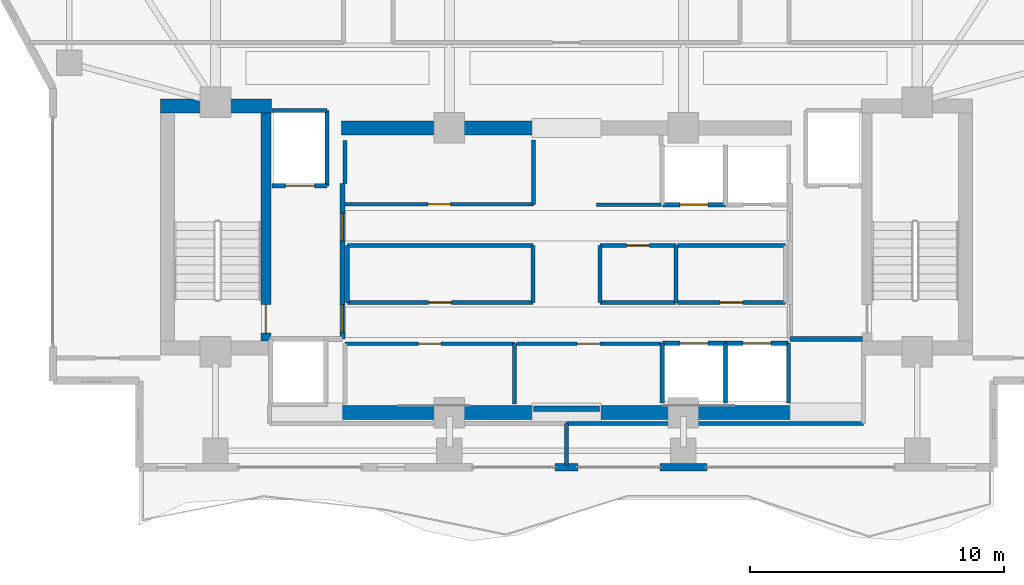
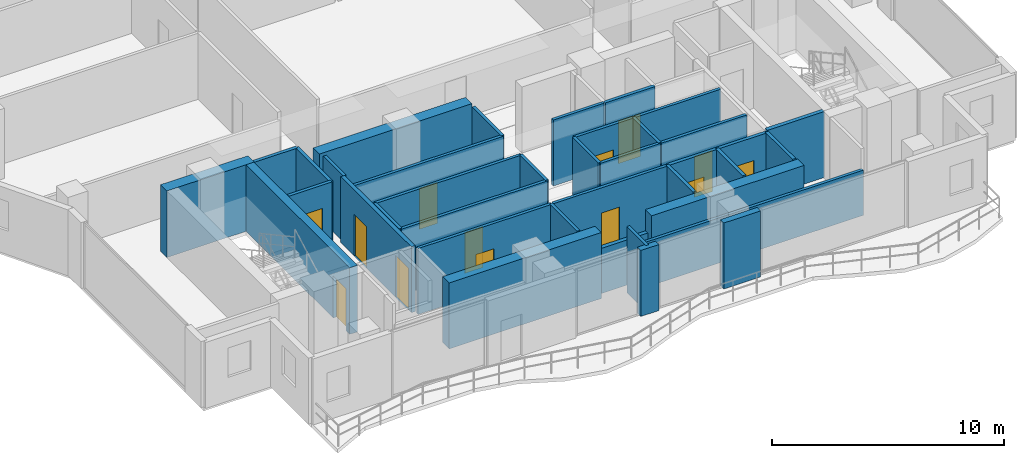
# One storey, part 17 of 24: 38 walls, 13 doors, 13 openings.
"""IFC4 building model written with IfcOpenShell, lengths in metres."""

from ifc_helpers import new_model, si_unit, direction, frame, frame_2d, origin, place, context, subcontext, project, spatial, rectangle, extrude, material, layer, layer_set, type_object, element, fill, save


model = new_model("IFC4")

# Units and contexts
model_context = context("Model", 3, precision=1e-05, world=origin(), true_north=direction((0.0, 1.0)))
body_context = subcontext(model_context, "Body", "Model", "MODEL_VIEW")
ifc_project = project(units=[si_unit("LENGTHUNIT", "METRE"), si_unit("AREAUNIT", "SQUARE_METRE"), si_unit("VOLUMEUNIT", "CUBIC_METRE"), si_unit("PLANEANGLEUNIT", "RADIAN"), si_unit("MASSUNIT", "GRAM", prefix="KILO")], contexts=[model_context])

# Site, building, storey
site_placement = place(None, origin())
site = spatial("IfcSite", under=ifc_project, at=site_placement, CompositionType="ELEMENT")
building_placement = place(site_placement, origin())
building = spatial("IfcBuilding", under=site, at=building_placement, Name="Zuhayl Quay Hotel", CompositionType="ELEMENT")
storey_placement = place(building_placement, frame((0.0, 0.0, 276.64990234375)))
storey = spatial("IfcBuildingStorey", under=building, at=storey_placement, Name="L70", CompositionType="ELEMENT", Elevation=276.64990234375)

# Walls
ifc_material_1 = material(Name="Concrete C50/60", Category="concrete")
ifc_layer_1 = layer(ifc_material_1, 0.550048828125, Name="Concrete C50/60", Category="concrete")
ifc_layer_set_1 = layer_set([ifc_layer_1], Name="Concrete C50/60")
wall_type_1 = type_object("IfcWallType", Name="WL_CORE_550", PredefinedType="SHEAR", material=ifc_layer_set_1)
wall_1_placement = place(storey_placement, frame((-15.9599609375, 14.205078125, 0.0), z_axis=(0.0, 0.0, 1.0), x_axis=(1.0, 0.0, 0.0)))
element("IfcWall", 1, at=wall_1_placement, inside=storey, type_object=wall_type_1, Name="L70 Core Shear Wall CW_NW", PredefinedType="SHEAR", context=body_context, shape_type="SweptSolid", body=[
    extrude(rectangle(XDim=4.35986328125, YDim=0.550048828125, at=frame_2d((2.179931640625, 0.0))), origin(), (0.0, 0.0, 1.0), 3.510009765625),
])
for number, where, z_axis, x_axis, name in (
    (2, (-8.85009765625, 2.14990234375, 0.0), (0.0, 0.0, 1.0), (1.0, 0.0, 0.0), "L70 Core Shear Wall CW_SC_W"),
    (3, (1.25, 2.14990234375, 0.0), (0.0, 0.0, 1.0), (1.0, 0.0, 0.0), "L70 Core Shear Wall CW_SC_E"),
    (4, (-8.85009765625, 13.35009765625, 0.0), (0.0, 0.0, 1.0), (1.0, 0.0, 0.0), "L70 Core Shear Wall CW_NC_W"),
):
    element("IfcWall", number, at=place(storey_placement, frame(where, z_axis=z_axis, x_axis=x_axis)), inside=storey, type_object=wall_type_1, Name=name, PredefinedType="SHEAR", context=body_context, shape_type="SweptSolid", body=[
        extrude(rectangle(XDim=7.60009765625, YDim=0.550048828125, at=frame_2d((3.800048828125, 0.0))), origin(), (0.0, 0.0, 1.0), 3.47998046875),
    ])
ifc_material_2 = material(Name="Precast concrete C45/55", Category="concrete")
ifc_layer_2 = layer(ifc_material_2, 0.300048828125, Name="Precast concrete C45/55", Category="concrete")
ifc_layer_set_2 = layer_set([ifc_layer_2], Name="Precast concrete C45/55")
wall_type_2 = type_object("IfcWallType", Name="WL_EXT_300", PredefinedType="STANDARD", material=ifc_layer_set_2)
wall_2_placement = place(storey_placement, frame((5.52001953125, 0.0, 0.0), z_axis=(0.0, 0.0, 1.0), x_axis=(-1.0, 0.0, 0.0)))
element("IfcWall", 5, at=wall_2_placement, inside=storey, type_object=wall_type_2, Name="L70 Exterior Precast Wall ENV_L70_S_EW2", PredefinedType="STANDARD", context=body_context, shape_type="SweptSolid", body=[
    extrude(rectangle(XDim=1.840087890625, YDim=0.300048828125, at=frame_2d((0.919921875, 0.0))), origin(), (0.0, 0.0, 1.0), 3.47998046875),
])
wall_3_placement = place(storey_placement, frame((0.449951171875, 0.0, 0.0), z_axis=(0.0, 0.0, 1.0), x_axis=(-1.0, 0.0, 0.0)))
element("IfcWall", 6, at=wall_3_placement, inside=storey, type_object=wall_type_2, Name="L70 Exterior Precast Wall ENV_L70_S_EW3", PredefinedType="STANDARD", context=body_context, shape_type="SweptSolid", body=[
    extrude(rectangle(XDim=0.89990234375, YDim=0.300048828125, at=frame_2d((0.449951171875, 0.0))), origin(), (0.0, 0.0, 1.0), 3.47998046875),
])

# Wall, opening, door
ifc_material_3 = material(Name="Acoustic Gypsum Partition STC-58")
ifc_layer_3 = layer(ifc_material_3, 0.14990234375, Name="Acoustic Gypsum Partition STC-58")
ifc_layer_set_3 = layer_set([ifc_layer_3], Name="Acoustic Gypsum Partition STC-58")
wall_type_3 = type_object("IfcWallType", Name="WL_PART_150", PredefinedType="PARTITIONING", material=ifc_layer_set_3)
wall_4_placement = place(storey_placement, frame((-8.7099609375, 4.860107421875, 0.0), z_axis=(0.0, 0.0, 1.0), x_axis=(1.0, 0.0, 0.0)))
wall_4 = element("IfcWall", 7, at=wall_4_placement, inside=storey, type_object=wall_type_3, Name="L70 Partition IW_L70_FMP_SW_N", PredefinedType="PARTITIONING", context=body_context, shape_type="SweptSolid", body=[
    extrude(rectangle(XDim=6.669921875, YDim=0.14990234375, at=frame_2d((3.3349609375, 0.0))), origin(), (0.0, 0.0, 1.0), 3.47998046875),
])
opening_1_placement = place(wall_4_placement, frame((2.885009765625, 0.0, 0.0)))
opening_1 = element("IfcOpeningElement", 8, at=opening_1_placement, cuts=wall_4, Name="Opening D06", PredefinedType="OPENING", context=body_context, shape_type="SweptSolid", body=[
    extrude(rectangle(XDim=0.89990234375, YDim=2.14990234375, at=frame_2d((0.449951171875, 1.074951171875))), frame((0.0, 0.0849609375, 0.0), z_axis=(0.0, -1.0, 0.0), x_axis=(1.0, 0.0, 0.0)), (0.0, 0.0, 1.0), 0.169921875),
])
ifc_material_4 = material(Name="Steel ASTM A992 Grade 50", Category="steel")
door_type_1 = type_object("IfcDoorType", Name="DR_INT_900", OperationType="NOTDEFINED", PredefinedType="DOOR", material=ifc_material_4)
door_1_placement = place(opening_1_placement, origin())
door_1 = element("IfcDoor", 9, at=door_1_placement, inside=storey, type_object=door_type_1, Name="L70 Sky-Suite Sommelier Pantry Door", OperationType="SINGLE_SWING_LEFT", OverallHeight=2.14990234375, OverallWidth=0.89990234375, PredefinedType="DOOR", context=body_context, shape_type="SweptSolid", body=[
    extrude(rectangle(XDim=0.89990234375, YDim=2.14990234375, at=frame_2d((0.449951171875, 1.074951171875))), frame((0.0, 0.02490234375, 0.0), z_axis=(0.0, -1.0, 0.0), x_axis=(1.0, 0.0, 0.0)), (0.0, 0.0, 1.0), 0.050048828125),
])
fill(opening_1, door_1)

wall_5_placement = place(storey_placement, frame((-1.9599609375, 4.860107421875, 0.0), z_axis=(0.0, 0.0, 1.0), x_axis=(1.0, 0.0, 0.0)))
wall_5 = element("IfcWall", 10, at=wall_5_placement, inside=storey, type_object=wall_type_3, Name="L70 Partition IW_L70_FMP_SE_N", PredefinedType="PARTITIONING", context=body_context, shape_type="SweptSolid", body=[
    extrude(rectangle(XDim=5.669921875, YDim=0.14990234375, at=frame_2d((2.8349609375, 0.0))), origin(), (0.0, 0.0, 1.0), 3.47998046875),
])
opening_2_placement = place(wall_5_placement, frame((2.385009765625, 0.0, 0.0)))
opening_2 = element("IfcOpeningElement", 11, at=opening_2_placement, cuts=wall_5, Name="Opening D06", PredefinedType="OPENING", context=body_context, shape_type="SweptSolid", body=[
    extrude(rectangle(XDim=0.89990234375, YDim=2.14990234375, at=frame_2d((0.449951171875, 1.074951171875))), frame((0.0, 0.0849609375, 0.0), z_axis=(0.0, -1.0, 0.0), x_axis=(1.0, 0.0, 0.0)), (0.0, 0.0, 1.0), 0.169921875),
])
door_2_placement = place(opening_2_placement, origin())
door_2 = element("IfcDoor", 12, at=door_2_placement, inside=storey, type_object=door_type_1, Name="L70 Butler Linen Store Door", OperationType="SINGLE_SWING_RIGHT", OverallHeight=2.14990234375, OverallWidth=0.89990234375, PredefinedType="DOOR", context=body_context, shape_type="SweptSolid", body=[
    extrude(rectangle(XDim=0.89990234375, YDim=2.14990234375, at=frame_2d((0.449951171875, 1.074951171875))), frame((0.0, 0.02490234375, 0.0), z_axis=(0.0, -1.0, 0.0), x_axis=(1.0, 0.0, 0.0)), (0.0, 0.0, 1.0), 0.050048828125),
])
fill(opening_2, door_2)

wall_6_placement = place(storey_placement, frame((-8.7099609375, 10.340087890625, 0.0), z_axis=(0.0, 0.0, 1.0), x_axis=(1.0, 0.0, 0.0)))
wall_6 = element("IfcWall", 13, at=wall_6_placement, inside=storey, type_object=wall_type_3, Name="L70 Partition IW_L70_FMP_NW_S", PredefinedType="PARTITIONING", context=body_context, shape_type="SweptSolid", body=[
    extrude(rectangle(XDim=7.419921875, YDim=0.14990234375, at=frame_2d((3.7099609375, 0.0))), origin(), (0.0, 0.0, 1.0), 3.47998046875),
])
opening_3_placement = place(wall_6_placement, frame((3.260009765625, 0.0, 0.0)))
opening_3 = element("IfcOpeningElement", 14, at=opening_3_placement, cuts=wall_6, Name="Opening D06", PredefinedType="OPENING", context=body_context, shape_type="SweptSolid", body=[
    extrude(rectangle(XDim=0.89990234375, YDim=2.14990234375, at=frame_2d((0.449951171875, 1.074951171875))), frame((0.0, 0.0849609375, 0.0), z_axis=(0.0, -1.0, 0.0), x_axis=(1.0, 0.0, 0.0)), (0.0, 0.0, 1.0), 0.169921875),
])
door_3_placement = place(opening_3_placement, origin())
door_3 = element("IfcDoor", 15, at=door_3_placement, inside=storey, type_object=door_type_1, Name="L70 Valet Linen Store Door", OperationType="SINGLE_SWING_LEFT", OverallHeight=2.14990234375, OverallWidth=0.89990234375, PredefinedType="DOOR", context=body_context, shape_type="SweptSolid", body=[
    extrude(rectangle(XDim=0.89990234375, YDim=2.14990234375, at=frame_2d((0.449951171875, 1.074951171875))), frame((0.0, 0.02490234375, 0.0), z_axis=(0.0, -1.0, 0.0), x_axis=(1.0, 0.0, 0.0)), (0.0, 0.0, 1.0), 0.050048828125),
])
fill(opening_3, door_3)

wall_7_placement = place(storey_placement, frame((-8.610107421875, 6.47998046875, 0.0), z_axis=(0.0, 0.0, 1.0), x_axis=(1.0, 0.0, 0.0)))
wall_7 = element("IfcWall", 16, at=wall_7_placement, inside=storey, type_object=wall_type_3, Name="L70 Partition IW_L70_CORE_EL_S", PredefinedType="PARTITIONING", context=body_context, shape_type="SweptSolid", body=[
    extrude(rectangle(XDim=7.2900390625, YDim=0.14990234375, at=frame_2d((3.64501953125, 0.0))), origin(), (0.0, 0.0, 1.0), 3.47998046875),
])
opening_4_placement = place(wall_7_placement, frame((3.195068359375, 0.0, 0.0)))
opening_4 = element("IfcOpeningElement", 17, at=opening_4_placement, cuts=wall_7, Name="Opening D06", PredefinedType="OPENING", context=body_context, shape_type="SweptSolid", body=[
    extrude(rectangle(XDim=0.89990234375, YDim=2.14990234375, at=frame_2d((0.449951171875, 1.074951171875))), frame((0.0, 0.0849609375, 0.0), z_axis=(0.0, -1.0, 0.0), x_axis=(1.0, 0.0, 0.0)), (0.0, 0.0, 1.0), 0.169921875),
])
door_4_placement = place(opening_4_placement, origin())
door_4 = element("IfcDoor", 18, at=door_4_placement, inside=storey, type_object=door_type_1, Name="L70 Floor Electrical Plant Room Door", OperationType="SINGLE_SWING_RIGHT", OverallHeight=2.14990234375, OverallWidth=0.89990234375, PredefinedType="DOOR", context=body_context, shape_type="SweptSolid", body=[
    extrude(rectangle(XDim=0.89990234375, YDim=2.14990234375, at=frame_2d((0.449951171875, 1.074951171875))), frame((0.0, 0.02490234375, 0.0), z_axis=(0.0, -1.0, 0.0), x_axis=(1.0, 0.0, 0.0)), (0.0, 0.0, 1.0), 0.050048828125),
])
fill(opening_4, door_4)

wall_8_placement = place(storey_placement, frame((1.320068359375, 8.719970703125, 0.0), z_axis=(0.0, 0.0, 1.0), x_axis=(1.0, 0.0, 0.0)))
wall_8 = element("IfcWall", 19, at=wall_8_placement, inside=storey, type_object=wall_type_3, Name="L70 Partition IW_L70_CORE_IT_N", PredefinedType="PARTITIONING", context=body_context, shape_type="SweptSolid", body=[
    extrude(rectangle(XDim=2.989990234375, YDim=0.14990234375, at=frame_2d((1.4951171875, 0.0))), origin(), (0.0, 0.0, 1.0), 3.47998046875),
])
opening_5_placement = place(wall_8_placement, frame((1.044921875, 0.0, 0.0)))
opening_5 = element("IfcOpeningElement", 20, at=opening_5_placement, cuts=wall_8, Name="Opening D06", PredefinedType="OPENING", context=body_context, shape_type="SweptSolid", body=[
    extrude(rectangle(XDim=0.89990234375, YDim=2.14990234375, at=frame_2d((0.449951171875, 1.074951171875))), frame((0.0, 0.0849609375, 0.0), z_axis=(0.0, -1.0, 0.0), x_axis=(1.0, 0.0, 0.0)), (0.0, 0.0, 1.0), 0.169921875),
])
door_5_placement = place(opening_5_placement, origin())
door_5 = element("IfcDoor", 21, at=door_5_placement, inside=storey, type_object=door_type_1, Name="L70 Telecom Closet Door", OperationType="SINGLE_SWING_LEFT", OverallHeight=2.14990234375, OverallWidth=0.89990234375, PredefinedType="DOOR", context=body_context, shape_type="SweptSolid", body=[
    extrude(rectangle(XDim=0.89990234375, YDim=2.14990234375, at=frame_2d((0.449951171875, 1.074951171875))), frame((0.0, 0.02490234375, 0.0), z_axis=(0.0, -1.0, 0.0), x_axis=(1.0, 0.0, 0.0)), (0.0, 0.0, 1.0), 0.050048828125),
])
fill(opening_5, door_5)

wall_9_placement = place(storey_placement, frame((4.3701171875, 6.47998046875, 0.0), z_axis=(0.0, 0.0, 1.0), x_axis=(1.0, 0.0, 0.0)))
wall_9 = element("IfcWall", 22, at=wall_9_placement, inside=storey, type_object=wall_type_3, Name="L70 Partition IW_L70_CORE_LN_S", PredefinedType="PARTITIONING", context=body_context, shape_type="SweptSolid", body=[
    extrude(rectangle(XDim=4.239990234375, YDim=0.14990234375, at=frame_2d((2.1201171875, 0.0))), origin(), (0.0, 0.0, 1.0), 3.47998046875),
])
opening_6_placement = place(wall_9_placement, frame((1.669921875, 0.0, 0.0)))
opening_6 = element("IfcOpeningElement", 23, at=opening_6_placement, cuts=wall_9, Name="Opening D06", PredefinedType="OPENING", context=body_context, shape_type="SweptSolid", body=[
    extrude(rectangle(XDim=0.89990234375, YDim=2.14990234375, at=frame_2d((0.449951171875, 1.074951171875))), frame((0.0, 0.0849609375, 0.0), z_axis=(0.0, -1.0, 0.0), x_axis=(1.0, 0.0, 0.0)), (0.0, 0.0, 1.0), 0.169921875),
])
door_6_placement = place(opening_6_placement, origin())
door_6 = element("IfcDoor", 24, at=door_6_placement, inside=storey, type_object=door_type_1, Name="L70 Core Linen Store Door", OperationType="SINGLE_SWING_RIGHT", OverallHeight=2.14990234375, OverallWidth=0.89990234375, PredefinedType="DOOR", context=body_context, shape_type="SweptSolid", body=[
    extrude(rectangle(XDim=0.89990234375, YDim=2.14990234375, at=frame_2d((0.449951171875, 1.074951171875))), frame((0.0, 0.02490234375, 0.0), z_axis=(0.0, -1.0, 0.0), x_axis=(1.0, 0.0, 0.0)), (0.0, 0.0, 1.0), 0.050048828125),
])
fill(opening_6, door_6)

# Walls
wall_10_placement = place(storey_placement, frame((-2.0400390625, 2.489990234375, 0.0), z_axis=(0.0, 0.0, 1.0), x_axis=(0.0, 1.0, 0.0)))
element("IfcWall", 25, at=wall_10_placement, inside=storey, type_object=wall_type_3, Name="L70 Partition IW_L70_FMP_SW_E", PredefinedType="PARTITIONING", context=body_context, shape_type="SweptSolid", body=[
    extrude(rectangle(XDim=2.3701171875, YDim=0.14990234375, at=frame_2d((1.18505859375, 0.0))), origin(), (0.0, 0.0, 1.0), 3.47998046875),
])
wall_11_placement = place(storey_placement, frame((-8.7099609375, 11.14990234375, 0.0), z_axis=(0.0, 0.0, 1.0), x_axis=(0.0, 1.0, 0.0)))
element("IfcWall", 26, at=wall_11_placement, inside=storey, type_object=wall_type_3, Name="L70 Partition IW_L70_FMP_NW_W", PredefinedType="PARTITIONING", context=body_context, shape_type="SweptSolid", body=[
    extrude(rectangle(XDim=1.710205078125, YDim=0.14990234375, at=frame_2d((0.85498046875, 0.0))), origin(), (0.0, 0.0, 1.0), 3.47998046875),
])
wall_12_placement = place(storey_placement, frame((-1.2900390625, 10.340087890625, 0.0), z_axis=(0.0, 0.0, 1.0), x_axis=(0.0, 1.0, 0.0)))
element("IfcWall", 27, at=wall_12_placement, inside=storey, type_object=wall_type_3, Name="L70 Partition IW_L70_FMP_NW_E", PredefinedType="PARTITIONING", context=body_context, shape_type="SweptSolid", body=[
    extrude(rectangle(XDim=2.52001953125, YDim=0.14990234375, at=frame_2d((1.260009765625, 0.0))), origin(), (0.0, 0.0, 1.0), 3.47998046875),
])
wall_13_placement = place(storey_placement, frame((-8.610107421875, 8.719970703125, 0.0), z_axis=(0.0, 0.0, 1.0), x_axis=(1.0, 0.0, 0.0)))
element("IfcWall", 28, at=wall_13_placement, inside=storey, type_object=wall_type_3, Name="L70 Partition IW_L70_CORE_EL_N", PredefinedType="PARTITIONING", context=body_context, shape_type="SweptSolid", body=[
    extrude(rectangle(XDim=7.2900390625, YDim=0.14990234375, at=frame_2d((3.64501953125, 0.0))), origin(), (0.0, 0.0, 1.0), 3.47998046875),
])
for number, where, z_axis, x_axis, name in (
    (29, (-8.610107421875, 6.47998046875, 0.0), (0.0, 0.0, 1.0), (0.0, 1.0, 0.0), "L70 Partition IW_L70_CORE_EL_W"),
    (30, (-1.320068359375, 6.47998046875, 0.0), (0.0, 0.0, 1.0), (0.0, 1.0, 0.0), "L70 Partition IW_L70_CORE_EL_E"),
):
    element("IfcWall", number, at=place(storey_placement, frame(where, z_axis=z_axis, x_axis=x_axis)), inside=storey, type_object=wall_type_3, Name=name, PredefinedType="PARTITIONING", context=body_context, shape_type="SweptSolid", body=[
        extrude(rectangle(XDim=2.239990234375, YDim=0.14990234375, at=frame_2d((1.1201171875, 0.0))), origin(), (0.0, 0.0, 1.0), 3.47998046875),
    ])
wall_14_placement = place(storey_placement, frame((1.320068359375, 6.47998046875, 0.0), z_axis=(0.0, 0.0, 1.0), x_axis=(1.0, 0.0, 0.0)))
element("IfcWall", 31, at=wall_14_placement, inside=storey, type_object=wall_type_3, Name="L70 Partition IW_L70_CORE_IT_S", PredefinedType="PARTITIONING", context=body_context, shape_type="SweptSolid", body=[
    extrude(rectangle(XDim=2.989990234375, YDim=0.14990234375, at=frame_2d((1.4951171875, 0.0))), origin(), (0.0, 0.0, 1.0), 3.47998046875),
])
for number, where, z_axis, x_axis, name in (
    (32, (1.320068359375, 6.47998046875, 0.0), (0.0, 0.0, 1.0), (0.0, 1.0, 0.0), "L70 Partition IW_L70_CORE_IT_W"),
    (33, (4.31005859375, 6.47998046875, 0.0), (0.0, 0.0, 1.0), (0.0, 1.0, 0.0), "L70 Partition IW_L70_CORE_IT_E"),
):
    element("IfcWall", number, at=place(storey_placement, frame(where, z_axis=z_axis, x_axis=x_axis)), inside=storey, type_object=wall_type_3, Name=name, PredefinedType="PARTITIONING", context=body_context, shape_type="SweptSolid", body=[
        extrude(rectangle(XDim=2.239990234375, YDim=0.14990234375, at=frame_2d((1.1201171875, 0.0))), origin(), (0.0, 0.0, 1.0), 3.47998046875),
    ])
wall_15_placement = place(storey_placement, frame((4.3701171875, 8.719970703125, 0.0), z_axis=(0.0, 0.0, 1.0), x_axis=(1.0, 0.0, 0.0)))
element("IfcWall", 34, at=wall_15_placement, inside=storey, type_object=wall_type_3, Name="L70 Partition IW_L70_CORE_LN_N", PredefinedType="PARTITIONING", context=body_context, shape_type="SweptSolid", body=[
    extrude(rectangle(XDim=4.239990234375, YDim=0.14990234375, at=frame_2d((2.1201171875, 0.0))), origin(), (0.0, 0.0, 1.0), 3.47998046875),
])
wall_16_placement = place(storey_placement, frame((1.179931640625, 10.320068359375, 0.0), z_axis=(0.0, 0.0, 1.0), x_axis=(1.0, 0.0, 0.0)))
element("IfcWall", 35, at=wall_16_placement, inside=storey, type_object=wall_type_3, Name="L70 Partition IW_L70_VEST_MP4_S", PredefinedType="PARTITIONING", context=body_context, shape_type="SweptSolid", body=[
    extrude(rectangle(XDim=2.5400390625, YDim=0.14990234375, at=frame_2d((1.27001953125, 0.0))), origin(), (0.0, 0.0, 1.0), 3.47998046875),
])
wall_17_placement = place(storey_placement, frame((0.0, 1.719970703125, 0.0), z_axis=(0.0, 0.0, 1.0), x_axis=(1.0, 0.0, 0.0)))
element("IfcWall", 36, at=wall_17_placement, inside=storey, type_object=wall_type_3, Name="L70 Partition IW_L70_Z4_SUN_SE_SN", PredefinedType="PARTITIONING", context=body_context, shape_type="SweptSolid", body=[
    extrude(rectangle(XDim=11.679931640625, YDim=0.14990234375, at=frame_2d((5.83984375, 0.0))), origin(), (0.0, 0.0, 1.0), 2.380126953125),
])
wall_18_placement = place(storey_placement, frame((0.0, 0.06005859375, 0.0), z_axis=(0.0, 0.0, 1.0), x_axis=(0.0, 1.0, 0.0)))
element("IfcWall", 37, at=wall_18_placement, inside=storey, type_object=wall_type_3, Name="L70 Partition IW_L70_Z4_SUN_MID", PredefinedType="PARTITIONING", context=body_context, shape_type="SweptSolid", body=[
    extrude(rectangle(XDim=1.659912109375, YDim=0.14990234375, at=frame_2d((0.830078125, 0.0))), origin(), (0.0, 0.0, 1.0), 3.47998046875),
])

# Wall, opening, door
ifc_material_5 = material(Name="Gypsum Fireboard Assembly EI-90")
ifc_layer_4 = layer(ifc_material_5, 0.1650390625, Name="Gypsum Fireboard Assembly EI-90")
ifc_layer_set_4 = layer_set([ifc_layer_4], Name="Gypsum Fireboard Assembly EI-90")
wall_type_4 = type_object("IfcWallType", Name="WL_PART_SHAFT_160", PredefinedType="PARTITIONING", material=ifc_layer_set_4)
wall_19_placement = place(storey_placement, frame((-11.580078125, 11.070068359375, 0.0), z_axis=(0.0, 0.0, 1.0), x_axis=(1.0, 0.0, 0.0)))
wall_19 = element("IfcWall", 38, at=wall_19_placement, inside=storey, type_object=wall_type_4, Name="L70 Partition IW_L70_SH_FL1_F", PredefinedType="PARTITIONING", context=body_context, shape_type="SweptSolid", body=[
    extrude(rectangle(XDim=2.16015625, YDim=0.1650390625, at=frame_2d((1.080078125, 0.0))), origin(), (0.0, 0.0, 1.0), 3.47998046875),
])
opening_7_placement = place(wall_19_placement, frame((0.530029296875, 0.0, 0.0)))
opening_7 = element("IfcOpeningElement", 39, at=opening_7_placement, cuts=wall_19, Name="Opening LD2", PredefinedType="OPENING", context=body_context, shape_type="SweptSolid", body=[
    extrude(rectangle(XDim=1.14990234375, YDim=2.25, at=frame_2d((0.574951171875, 1.125))), frame((0.0, 0.092529296875, 0.0), z_axis=(0.0, -1.0, 0.0), x_axis=(1.0, 0.0, 0.0)), (0.0, 0.0, 1.0), 0.18505859375),
])
ifc_material_6 = material(Name="Brushed Stainless Steel", Category="steel")
door_type_2 = type_object("IfcDoorType", Name="DR_LIFT_FF_1100", OperationType="SLIDING_TO_LEFT", PredefinedType="DOOR", material=ifc_material_6)
door_7_placement = place(opening_7_placement, origin())
door_7 = element("IfcDoor", 40, at=door_7_placement, inside=storey, type_object=door_type_2, Name="L70 Lift FL1 Sliding Landing Door", OperationType="SLIDING_TO_LEFT", OverallHeight=2.25, OverallWidth=1.14990234375, PredefinedType="DOOR", context=body_context, shape_type="SweptSolid", body=[
    extrude(rectangle(XDim=1.14990234375, YDim=2.25, at=frame_2d((0.574951171875, 1.125))), frame((0.0, 0.02490234375, 0.0), z_axis=(0.0, -1.0, 0.0), x_axis=(1.0, 0.0, 0.0)), (0.0, 0.0, 1.0), 0.050048828125),
])
fill(opening_7, door_7)

wall_20_placement = place(storey_placement, frame((3.77001953125, 4.8798828125, 0.0), z_axis=(0.0, 0.0, 1.0), x_axis=(1.0, 0.0, 0.0)))
wall_20 = element("IfcWall", 41, at=wall_20_placement, inside=storey, type_object=wall_type_4, Name="L70 Partition IW_L70_SH_HP1_F", PredefinedType="PARTITIONING", context=body_context, shape_type="SweptSolid", body=[
    extrude(rectangle(XDim=2.47998046875, YDim=0.1650390625, at=frame_2d((1.239990234375, 0.0))), origin(), (0.0, 0.0, 1.0), 3.47998046875),
])
opening_8_placement = place(wall_20_placement, frame((0.68994140625, 0.0, 0.0)))
opening_8 = element("IfcOpeningElement", 42, at=opening_8_placement, cuts=wall_20, Name="Opening LD1", PredefinedType="OPENING", context=body_context, shape_type="SweptSolid", body=[
    extrude(rectangle(XDim=1.10009765625, YDim=2.25, at=frame_2d((0.550048828125, 1.125))), frame((0.0, 0.092529296875, 0.0), z_axis=(0.0, -1.0, 0.0), x_axis=(1.0, 0.0, 0.0)), (0.0, 0.0, 1.0), 0.18505859375),
])
door_type_3 = type_object("IfcDoorType", Name="DR_LIFT_PASS_1100", OperationType="SLIDING_TO_LEFT", PredefinedType="DOOR", material=ifc_material_6)
door_8_placement = place(opening_8_placement, origin())
door_8 = element("IfcDoor", 43, at=door_8_placement, inside=storey, type_object=door_type_3, Name="L70 Lift HP1 Sliding Landing Door", OperationType="SLIDING_TO_LEFT", OverallHeight=2.25, OverallWidth=1.10009765625, PredefinedType="DOOR", context=body_context, shape_type="SweptSolid", body=[
    extrude(rectangle(XDim=1.10009765625, YDim=2.25, at=frame_2d((0.550048828125, 1.125))), frame((0.0, 0.02490234375, 0.0), z_axis=(0.0, -1.0, 0.0), x_axis=(1.0, 0.0, 0.0)), (0.0, 0.0, 1.0), 0.050048828125),
])
fill(opening_8, door_8)

wall_21_placement = place(storey_placement, frame((6.25, 4.8798828125, 0.0), z_axis=(0.0, 0.0, 1.0), x_axis=(1.0, 0.0, 0.0)))
wall_21 = element("IfcWall", 44, at=wall_21_placement, inside=storey, type_object=wall_type_4, Name="L70 Partition IW_L70_SH_HP2_F", PredefinedType="PARTITIONING", context=body_context, shape_type="SweptSolid", body=[
    extrude(rectangle(XDim=2.47998046875, YDim=0.1650390625, at=frame_2d((1.239990234375, 0.0))), origin(), (0.0, 0.0, 1.0), 3.47998046875),
])
opening_9_placement = place(wall_21_placement, frame((0.68994140625, 0.0, 0.0)))
opening_9 = element("IfcOpeningElement", 45, at=opening_9_placement, cuts=wall_21, Name="Opening LD1", PredefinedType="OPENING", context=body_context, shape_type="SweptSolid", body=[
    extrude(rectangle(XDim=1.10009765625, YDim=2.25, at=frame_2d((0.550048828125, 1.125))), frame((0.0, 0.092529296875, 0.0), z_axis=(0.0, -1.0, 0.0), x_axis=(1.0, 0.0, 0.0)), (0.0, 0.0, 1.0), 0.18505859375),
])
door_9_placement = place(opening_9_placement, origin())
door_9 = element("IfcDoor", 46, at=door_9_placement, inside=storey, type_object=door_type_3, Name="L70 Lift HP2 Sliding Landing Door", OperationType="SLIDING_TO_LEFT", OverallHeight=2.25, OverallWidth=1.10009765625, PredefinedType="DOOR", context=body_context, shape_type="SweptSolid", body=[
    extrude(rectangle(XDim=1.10009765625, YDim=2.25, at=frame_2d((0.550048828125, 1.125))), frame((0.0, 0.02490234375, 0.0), z_axis=(0.0, -1.0, 0.0), x_axis=(1.0, 0.0, 0.0)), (0.0, 0.0, 1.0), 0.050048828125),
])
fill(opening_9, door_9)

wall_22_placement = place(storey_placement, frame((3.77001953125, 10.320068359375, 0.0), z_axis=(0.0, 0.0, 1.0), x_axis=(1.0, 0.0, 0.0)))
wall_22 = element("IfcWall", 47, at=wall_22_placement, inside=storey, type_object=wall_type_4, Name="L70 Partition IW_L70_SH_HP3_F", PredefinedType="PARTITIONING", context=body_context, shape_type="SweptSolid", body=[
    extrude(rectangle(XDim=2.47998046875, YDim=0.1650390625, at=frame_2d((1.239990234375, 0.0))), origin(), (0.0, 0.0, 1.0), 3.47998046875),
])
opening_10_placement = place(wall_22_placement, frame((0.68994140625, 0.0, 0.0)))
opening_10 = element("IfcOpeningElement", 48, at=opening_10_placement, cuts=wall_22, Name="Opening LD1", PredefinedType="OPENING", context=body_context, shape_type="SweptSolid", body=[
    extrude(rectangle(XDim=1.10009765625, YDim=2.25, at=frame_2d((0.550048828125, 1.125))), frame((0.0, 0.092529296875, 0.0), z_axis=(0.0, -1.0, 0.0), x_axis=(1.0, 0.0, 0.0)), (0.0, 0.0, 1.0), 0.18505859375),
])
door_10_placement = place(opening_10_placement, origin())
door_10 = element("IfcDoor", 49, at=door_10_placement, inside=storey, type_object=door_type_3, Name="L70 Lift HP3 Sliding Landing Door", OperationType="SLIDING_TO_LEFT", OverallHeight=2.25, OverallWidth=1.10009765625, PredefinedType="DOOR", context=body_context, shape_type="SweptSolid", body=[
    extrude(rectangle(XDim=1.10009765625, YDim=2.25, at=frame_2d((0.550048828125, 1.125))), frame((0.0, 0.02490234375, 0.0), z_axis=(0.0, -1.0, 0.0), x_axis=(1.0, 0.0, 0.0)), (0.0, 0.0, 1.0), 0.050048828125),
])
fill(opening_10, door_10)

# Walls
wall_23_placement = place(storey_placement, frame((-9.419921875, 11.070068359375, 0.0), z_axis=(0.0, 0.0, 1.0), x_axis=(0.0, 1.0, 0.0)))
element("IfcWall", 50, at=wall_23_placement, inside=storey, type_object=wall_type_4, Name="L70 Partition IW_L70_SH_FL1_E", PredefinedType="PARTITIONING", context=body_context, shape_type="SweptSolid", body=[
    extrude(rectangle(XDim=2.9599609375, YDim=0.1650390625, at=frame_2d((1.47998046875, 0.0))), origin(), (0.0, 0.0, 1.0), 3.47998046875),
])
wall_24_placement = place(storey_placement, frame((-11.580078125, 14.030029296875, 0.0), z_axis=(0.0, 0.0, 1.0), x_axis=(1.0, 0.0, 0.0)))
element("IfcWall", 51, at=wall_24_placement, inside=storey, type_object=wall_type_4, Name="L70 Partition IW_L70_SH_FL1_B", PredefinedType="PARTITIONING", context=body_context, shape_type="SweptSolid", body=[
    extrude(rectangle(XDim=2.16015625, YDim=0.1650390625, at=frame_2d((1.080078125, 0.0))), origin(), (0.0, 0.0, 1.0), 3.47998046875),
])
for number, where, z_axis, x_axis, name in (
    (52, (3.77001953125, 2.52001953125, 0.0), (0.0, 0.0, 1.0), (0.0, 1.0, 0.0), "L70 Partition IW_L70_SH_HP1_W"),
    (53, (6.25, 2.52001953125, 0.0), (0.0, 0.0, 1.0), (0.0, 1.0, 0.0), "L70 Partition IW_L70_SH_HP1_E"),
    (54, (8.72998046875, 2.52001953125, 0.0), (0.0, 0.0, 1.0), (0.0, 1.0, 0.0), "L70 Partition IW_L70_SH_HP2_E"),
):
    element("IfcWall", number, at=place(storey_placement, frame(where, z_axis=z_axis, x_axis=x_axis)), inside=storey, type_object=wall_type_4, Name=name, PredefinedType="PARTITIONING", context=body_context, shape_type="SweptSolid", body=[
        extrude(rectangle(XDim=2.35986328125, YDim=0.1650390625, at=frame_2d((1.179931640625, 0.0))), origin(), (0.0, 0.0, 1.0), 3.47998046875),
    ])

# Wall, openings, doors
ifc_material_7 = material(Name="Gypsum Fireboard Assembly EI-120")
ifc_layer_5 = layer(ifc_material_7, 0.199951171875, Name="Gypsum Fireboard Assembly EI-120")
ifc_layer_set_5 = layer_set([ifc_layer_5], Name="Gypsum Fireboard Assembly EI-120")
wall_type_5 = type_object("IfcWallType", Name="WL_PART_SHAFT_200", PredefinedType="PARTITIONING", material=ifc_layer_set_5)
wall_25_placement = place(storey_placement, frame((-8.800048828125, 5.050048828125, 0.0), z_axis=(0.0, 0.0, 1.0), x_axis=(0.0, 1.0, 0.0)))
wall_25 = element("IfcWall", 55, at=wall_25_placement, inside=storey, type_object=wall_type_5, Name="L70 Partition IW_L70_FSAE_W_E", PredefinedType="PARTITIONING", context=body_context, shape_type="SweptSolid", body=[
    extrude(rectangle(XDim=6.099853515625, YDim=0.199951171875, at=frame_2d((3.0498046875, 0.0))), origin(), (0.0, 0.0, 1.0), 3.47998046875),
])
opening_11_placement = place(wall_25_placement, frame((0.25, 0.0, 0.0)))
opening_11 = element("IfcOpeningElement", 56, at=opening_11_placement, cuts=wall_25, Name="Opening D02", PredefinedType="OPENING", context=body_context, shape_type="SweptSolid", body=[
    extrude(rectangle(XDim=1.10009765625, YDim=2.199951171875, at=frame_2d((0.550048828125, 1.10009765625))), frame((0.0, 0.10986328125, 0.0), z_axis=(0.0, -1.0, 0.0), x_axis=(1.0, 0.0, 0.0)), (0.0, 0.0, 1.0), 0.219970703125),
])
opening_12_placement = place(wall_25_placement, frame((3.85009765625, 0.0, 0.0)))
opening_12 = element("IfcOpeningElement", 57, at=opening_12_placement, cuts=wall_25, Name="Opening D02", PredefinedType="OPENING", context=body_context, shape_type="SweptSolid", body=[
    extrude(rectangle(XDim=1.10009765625, YDim=2.199951171875, at=frame_2d((0.550048828125, 1.10009765625))), frame((0.0, 0.10986328125, 0.0), z_axis=(0.0, -1.0, 0.0), x_axis=(1.0, 0.0, 0.0)), (0.0, 0.0, 1.0), 0.219970703125),
])
door_type_4 = type_object("IfcDoorType", Name="DR_FIRE_90_1100", OperationType="NOTDEFINED", PredefinedType="DOOR", material=ifc_material_4)
door_11_placement = place(opening_11_placement, origin())
door_11 = element("IfcDoor", 58, at=door_11_placement, inside=storey, type_object=door_type_4, Name="L70 FSAE Lobby West South Entry Door", OperationType="SINGLE_SWING_LEFT", OverallHeight=2.199951171875, OverallWidth=1.10009765625, PredefinedType="DOOR", context=body_context, shape_type="SweptSolid", body=[
    extrude(rectangle(XDim=1.10009765625, YDim=2.199951171875, at=frame_2d((0.550048828125, 1.10009765625))), frame((0.0, 0.02490234375, 0.0), z_axis=(0.0, -1.0, 0.0), x_axis=(1.0, 0.0, 0.0)), (0.0, 0.0, 1.0), 0.050048828125),
])
fill(opening_11, door_11)
door_12_placement = place(opening_12_placement, origin())
door_12 = element("IfcDoor", 59, at=door_12_placement, inside=storey, type_object=door_type_4, Name="L70 FSAE Lobby West North Entry Door", OperationType="SINGLE_SWING_RIGHT", OverallHeight=2.199951171875, OverallWidth=1.10009765625, PredefinedType="DOOR", context=body_context, shape_type="SweptSolid", body=[
    extrude(rectangle(XDim=1.10009765625, YDim=2.199951171875, at=frame_2d((0.550048828125, 1.10009765625))), frame((0.0, 0.02490234375, 0.0), z_axis=(0.0, -1.0, 0.0), x_axis=(1.0, 0.0, 0.0)), (0.0, 0.0, 1.0), 0.050048828125),
])
fill(opening_12, door_12)

# Walls
wall_26_placement = place(storey_placement, frame((8.800048828125, 5.050048828125, 0.0), z_axis=(0.0, 0.0, 1.0), x_axis=(1.0, 0.0, 0.0)))
element("IfcWall", 60, at=wall_26_placement, inside=storey, type_object=wall_type_5, Name="L70 Partition IW_L70_FSAE_E_S", PredefinedType="PARTITIONING", context=body_context, shape_type="SweptSolid", body=[
    extrude(rectangle(XDim=2.849853515625, YDim=0.199951171875, at=frame_2d((1.4248046875, 0.0))), origin(), (0.0, 0.0, 1.0), 3.47998046875),
])
wall_27_placement = place(storey_placement, frame((-1.300048828125, 2.300048828125, 0.0), z_axis=(0.0, 0.0, 1.0), x_axis=(1.0, 0.0, 0.0)))
element("IfcWall", 61, at=wall_27_placement, inside=storey, type_object=wall_type_5, Name="L70 Partition IW_L70_CORE_SCM", PredefinedType="PARTITIONING", context=body_context, shape_type="SweptSolid", body=[
    extrude(rectangle(XDim=2.60009765625, YDim=0.199951171875, at=frame_2d((1.300048828125, 0.0))), origin(), (0.0, 0.0, 1.0), 2.380126953125),
])

# Wall, opening, door
ifc_material_8 = material(Name="Concrete C60/75", Category="concrete")
ifc_layer_6 = layer(ifc_material_8, 0.39990234375, Name="Concrete C60/75", Category="concrete")
ifc_layer_set_6 = layer_set([ifc_layer_6], Name="Concrete C60/75")
wall_type_6 = type_object("IfcWallType", Name="WL_STAIR_400", PredefinedType="SHEAR", material=ifc_layer_set_6)
wall_28_placement = place(storey_placement, frame((-11.820068359375, 4.969970703125, 0.0), z_axis=(0.0, 0.0, 1.0), x_axis=(0.0, 1.0, 0.0)))
wall_28 = element("IfcWall", 62, at=wall_28_placement, inside=storey, type_object=wall_type_6, Name="L70 Core Shear Wall SW_ST1", PredefinedType="SHEAR", context=body_context, shape_type="SweptSolid", body=[
    extrude(rectangle(XDim=8.9599609375, YDim=0.39990234375, at=frame_2d((4.47998046875, 0.0))), origin(), (0.0, 0.0, 1.0), 3.510009765625),
])
opening_13_placement = place(wall_28_placement, frame((0.31005859375, 0.0, 0.0)))
opening_13 = element("IfcOpeningElement", 63, at=opening_13_placement, cuts=wall_28, Name="Opening D01", PredefinedType="OPENING", context=body_context, shape_type="SweptSolid", body=[
    extrude(rectangle(XDim=1.1201171875, YDim=2.219970703125, at=frame_2d((0.56005859375, 1.10986328125))), frame((0.0, 0.2099609375, 0.0), z_axis=(0.0, -1.0, 0.0), x_axis=(1.0, 0.0, 0.0)), (0.0, 0.0, 1.0), 0.419921875),
])
door_type_5 = type_object("IfcDoorType", Name="DR_STAIR_90_1100", OperationType="NOTDEFINED", PredefinedType="DOOR", material=ifc_material_4)
door_13_placement = place(opening_13_placement, origin())
door_13 = element("IfcDoor", 64, at=door_13_placement, inside=storey, type_object=door_type_5, Name="L70 Smokeproof Exit Stair ST1 Door", OperationType="SINGLE_SWING_LEFT", OverallHeight=2.219970703125, OverallWidth=1.1201171875, PredefinedType="DOOR", context=body_context, shape_type="SweptSolid", body=[
    extrude(rectangle(XDim=1.1201171875, YDim=2.219970703125, at=frame_2d((0.56005859375, 1.10986328125))), frame((0.0, 0.02490234375, 0.0), z_axis=(0.0, -1.0, 0.0), x_axis=(1.0, 0.0, 0.0)), (0.0, 0.0, 1.0), 0.050048828125),
])
fill(opening_13, door_13)

save(model, "model.ifc")
